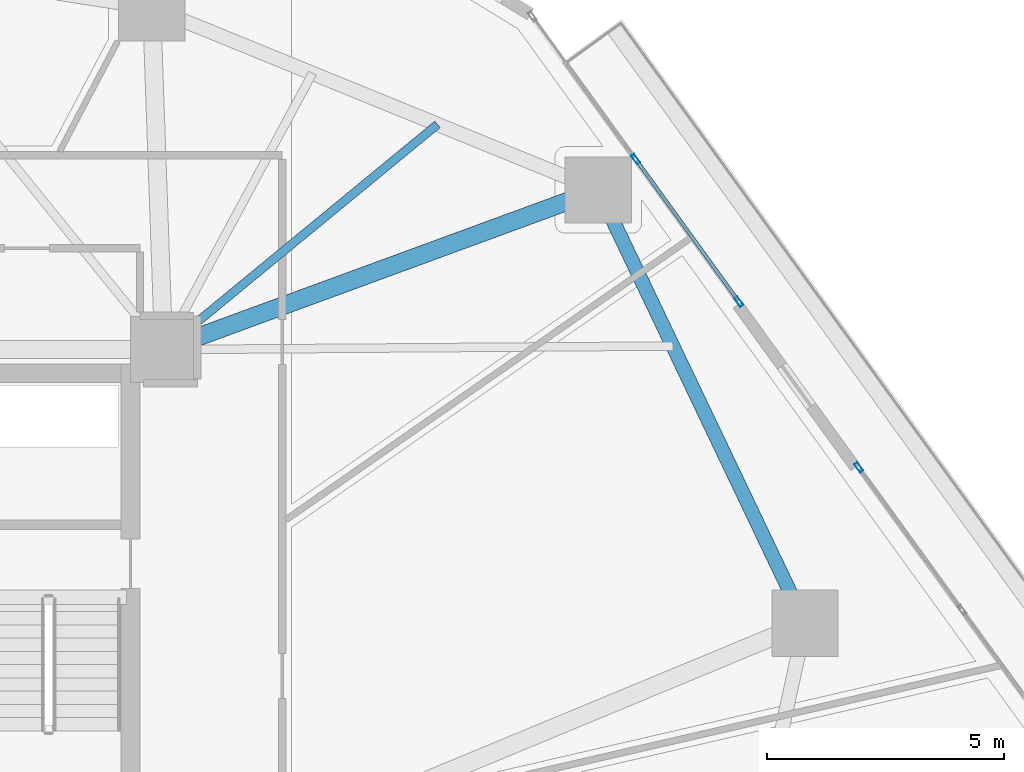
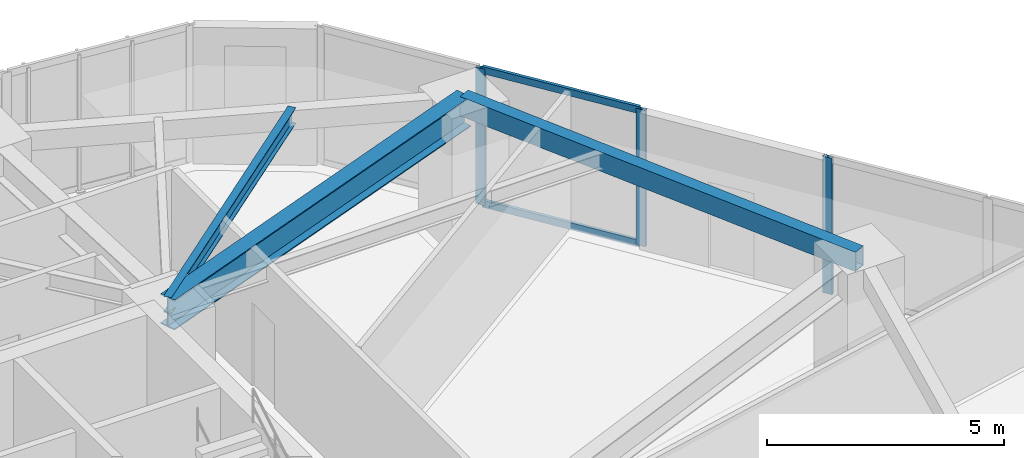
# One storey, part 13 of 24: 5 members, 3 beams, 2 elements without a shape of their own.
"""IFC4 building model written with IfcOpenShell, lengths in metres."""

from ifc_helpers import new_model, si_unit, direction, frame, origin, origin_2d, place, context, subcontext, project, spatial, hollow_rectangle, i_section, extrude, source, transform, mapped, material, layer, layer_set, material_profile, profile_set, type_object, type_shapes, element, aggregate, save


model = new_model("IFC4")

# Units and contexts
model_context = context("Model", 3, precision=1e-05, world=origin(), true_north=direction((0.0, 1.0)))
body_context = subcontext(model_context, "Body", "Model", "MODEL_VIEW")
ifc_project = project(units=[si_unit("LENGTHUNIT", "METRE"), si_unit("AREAUNIT", "SQUARE_METRE"), si_unit("VOLUMEUNIT", "CUBIC_METRE"), si_unit("PLANEANGLEUNIT", "RADIAN"), si_unit("MASSUNIT", "GRAM", prefix="KILO")], contexts=[model_context])

# Site, building, storey
site_placement = place(None, origin())
site = spatial("IfcSite", under=ifc_project, at=site_placement, CompositionType="ELEMENT")
building_placement = place(site_placement, origin())
building = spatial("IfcBuilding", under=site, at=building_placement, Name="Talar Marvaseh", CompositionType="ELEMENT")
storey_placement = place(building_placement, frame((0.0, 0.0, 73.39990234375)))
storey = spatial("IfcBuildingStorey", under=building, at=storey_placement, Name="L18", CompositionType="ELEMENT", Elevation=73.39990234375)

# Beams
ifc_material_1 = material(Name="Steel S355", Category="steel")
ifc_material_profile_1 = material_profile(ifc_material_1, hollow_rectangle(XDim=0.300048828125, YDim=0.5, WallThickness=0.02001953125, at=origin_2d()), Name="RHS500x300x20")
ifc_profile_set_1 = profile_set([ifc_material_profile_1], Name="Steel S355")
beam_type_1 = type_object("IfcBeamType", Name="Zone 1 Perimeter Spandrel Beam RHS500x300x20", PredefinedType="SPANDREL", material=ifc_profile_set_1)
beam_1_placement = place(storey_placement, frame((42.47705078125, 40.26904296875, 3.27001953125), z_axis=(0.430480372911, -0.902599938255, 0.0), x_axis=(0.902599938255, 0.430480372911, 0.0)))
element("IfcBeam", 1, at=beam_1_placement, inside=storey, type_object=beam_type_1, Name="L18 Zone 1 Perimeter Spandrel Beam RHS500x300x20", PredefinedType="SPANDREL", context=body_context, shape_type="SweptSolid", body=[
    extrude(hollow_rectangle(XDim=0.300048828125, YDim=0.5, WallThickness=0.02001953125, at=origin_2d()), origin(), (0.0, 0.0, 1.0), 10.137451171875),
])
ifc_material_profile_2 = material_profile(ifc_material_1, i_section(OverallWidth=0.381103515625, OverallDepth=0.77294921875, WebThickness=0.0166015625, FlangeThickness=0.027099609375, at=origin_2d()), Name="W760x257")
ifc_profile_set_2 = profile_set([ifc_material_profile_2], Name="Steel S355")
beam_type_2 = type_object("IfcBeamType", Name="Zone 1 Radial Floor Girder W760x257", PredefinedType="BEAM", material=ifc_profile_set_2)
beam_2_placement = place(storey_placement, frame((42.47705078125, 40.26904296875, 3.133544921875), z_axis=(-0.938736057616, -0.344636930887, 0.0), x_axis=(0.344636930887, -0.938736057616, 0.0)))
element("IfcBeam", 2, at=beam_2_placement, inside=storey, type_object=beam_type_2, Name="L18 Zone 1 Radial Floor Girder W760x257", PredefinedType="BEAM", context=body_context, shape_type="SweptSolid", body=[
    extrude(i_section(OverallWidth=0.381103515625, OverallDepth=0.77294921875, WebThickness=0.0166015625, FlangeThickness=0.027099609375, at=origin_2d()), origin(), (0.0, 0.0, 1.0), 9.77587890625),
])
ifc_material_profile_3 = material_profile(ifc_material_1, i_section(OverallWidth=0.179931640625, OverallDepth=0.4130859375, WebThickness=0.009765625, FlangeThickness=0.01611328125, at=origin_2d()), Name="W410x75")
ifc_profile_set_3 = profile_set([ifc_material_profile_3], Name="Steel S355")
beam_type_3 = type_object("IfcBeamType", Name="Zone 1 Secondary Floor Joist W410x75", PredefinedType="JOIST", material=ifc_profile_set_3)
beam_3_placement = place(storey_placement, frame((39.081787109375, 41.654541015625, 3.3134765625), z_axis=(-0.772375351123, -0.635166369526, 0.0), x_axis=(0.635166369526, -0.772375351123, 0.0)))
element("IfcBeam", 3, at=beam_3_placement, inside=storey, type_object=beam_type_3, Name="L18 Zone 1 Secondary Floor Joist W410x75", PredefinedType="JOIST", context=body_context, shape_type="SweptSolid", body=[
    extrude(i_section(OverallWidth=0.179931640625, OverallDepth=0.4130859375, WebThickness=0.009765625, FlangeThickness=0.01611328125, at=origin_2d()), origin(), (0.0, 0.0, 1.0), 7.485595703125),
])

# Curtain wall, members
ifc_material_2 = material(Name="Architectural Aluminium", Category="aluminium")
ifc_layer = layer(ifc_material_2, 0.219970703125)
ifc_layer_set = layer_set([ifc_layer], Name="Architectural Aluminium")
curtain_wall_type = type_object("IfcCurtainWallType", Name="Unitised Low-E Museum Curtain Wall Z1", PredefinedType="NOTDEFINED", material=ifc_layer_set)
curtain_wall_1_placement = place(storey_placement, origin())
curtain_wall_1 = element("IfcCurtainWall", 4, at=curtain_wall_1_placement, inside=storey, type_object=curtain_wall_type, Name="L18 Unitised Low-E Museum Curtain Wall Z1", PredefinedType="NOTDEFINED")
ifc_material_profile_4 = material_profile(ifc_material_2, hollow_rectangle(XDim=0.080078125, YDim=0.219970703125, WallThickness=0.0048828125, at=origin_2d()), Name="RHS220x80x5")
ifc_profile_set_4 = profile_set([ifc_material_profile_4], Name="Architectural Aluminium")
member_type_1 = type_object("IfcMemberType", Name="Unitised Curtain Wall Heavy Mullion RHS220x80x5", PredefinedType="MULLION", material=ifc_profile_set_4)
shared_shape_1 = source(origin(), body_context, "Body", "SweptSolid", [
    extrude(hollow_rectangle(XDim=0.080078125, YDim=0.219970703125, WallThickness=0.0048828125, at=origin_2d()), origin(), (0.0, 0.0, 1.0), 3.52001953125),
])
type_shapes(member_type_1, [shared_shape_1])
member_1_placement = place(storey_placement, frame((43.26416015625, 40.921142578125, 0.0), z_axis=(0.0, 0.0, 1.0), x_axis=(0.810006646124, 0.586420696458, 0.0)))
member_1 = element("IfcMember", 5, at=member_1_placement, type_object=member_type_1, Name="CW-Z1 mullion 2", PredefinedType="MULLION", context=body_context, shape_type="MappedRepresentation", body=[
    mapped(shared_shape_1, transform((0.0, 0.0, 0.0), x_axis=(1.0, 0.0, 0.0), y_axis=(0.0, 1.0, 0.0), z_axis=(0.0, 0.0, 1.0), scale=1.0)),
])
member_2_placement = place(storey_placement, frame((45.44384765625, 37.910400390625, 0.0), z_axis=(0.0, 0.0, 1.0), x_axis=(0.810006646124, 0.586420696458, 0.0)))
member_2 = element("IfcMember", 6, at=member_2_placement, type_object=member_type_1, Name="CW-Z1 mullion 3", PredefinedType="MULLION", context=body_context, shape_type="MappedRepresentation", body=[
    mapped(shared_shape_1, transform((0.0, 0.0, 0.0), x_axis=(1.0, 0.0, 0.0), y_axis=(0.0, 1.0, 0.0), z_axis=(0.0, 0.0, 1.0), scale=1.0)),
])

# Curtain wall, member
curtain_wall_2_placement = place(storey_placement, origin())
curtain_wall_2 = element("IfcCurtainWall", 7, at=curtain_wall_2_placement, inside=storey, type_object=curtain_wall_type, Name="L18 Unitised Low-E Museum Curtain Wall Z1", PredefinedType="NOTDEFINED")
member_3_placement = place(storey_placement, frame((47.9765625, 34.41259765625, 0.0), z_axis=(0.0, 0.0, 1.0), x_axis=(0.810006646124, 0.586420696458, 0.0)))
member_3 = element("IfcMember", 8, at=member_3_placement, type_object=member_type_1, Name="CW-Z1 mullion 1", PredefinedType="MULLION", context=body_context, shape_type="MappedRepresentation", body=[
    mapped(shared_shape_1, transform((0.0, 0.0, 0.0), x_axis=(1.0, 0.0, 0.0), y_axis=(0.0, 1.0, 0.0), z_axis=(0.0, 0.0, 1.0), scale=1.0)),
])
aggregate(curtain_wall_2, [member_3])

# Member
ifc_material_profile_5 = material_profile(ifc_material_2, hollow_rectangle(XDim=0.074951171875, YDim=0.179931640625, WallThickness=0.0048828125, at=origin_2d()), Name="RHS180x75x5")
ifc_profile_set_5 = profile_set([ifc_material_profile_5], Name="Architectural Aluminium")
member_type_2 = type_object("IfcMemberType", Name="Unitised Curtain Wall Transom RHS180x75x5", PredefinedType="USERDEFINED", material=ifc_profile_set_5)
shared_shape_2 = source(origin(), body_context, "Body", "SweptSolid", [
    extrude(hollow_rectangle(XDim=0.074951171875, YDim=0.179931640625, WallThickness=0.0048828125, at=origin_2d()), origin(), (0.0, 0.0, 1.0), 3.636962890625),
])
type_shapes(member_type_2, [shared_shape_2])
member_4_placement = place(storey_placement, frame((43.28759765625, 40.888916015625, 0.03759765625), z_axis=(0.586414145427, -0.810011388835, 0.0), x_axis=(0.810011388835, 0.586414145427, 0.0)))
member_4 = element("IfcMember", 9, at=member_4_placement, type_object=member_type_2, Name="CW-Z1 transom 2.1", ObjectType="TRANSOM", PredefinedType="USERDEFINED", context=body_context, shape_type="MappedRepresentation", body=[
    mapped(shared_shape_2, transform((0.0, 0.0, 0.0), x_axis=(1.0, 0.0, 0.0), y_axis=(0.0, 1.0, 0.0), z_axis=(0.0, 0.0, 1.0), scale=1.0)),
])

member_5_placement = place(storey_placement, frame((43.28759765625, 40.888916015625, 3.482666015625), z_axis=(0.586414145427, -0.810011388835, 0.0), x_axis=(0.810011388835, 0.586414145427, 0.0)))
member_5 = element("IfcMember", 10, at=member_5_placement, type_object=member_type_2, Name="CW-Z1 transom 2.2", ObjectType="TRANSOM", PredefinedType="USERDEFINED", context=body_context, shape_type="MappedRepresentation", body=[
    mapped(shared_shape_2, transform((0.0, 0.0, 0.0), x_axis=(1.0, 0.0, 0.0), y_axis=(0.0, 1.0, 0.0), z_axis=(0.0, 0.0, 1.0), scale=1.0)),
])

aggregate(curtain_wall_1, [member_1, member_2, member_4, member_5])

save(model, "model.ifc")
